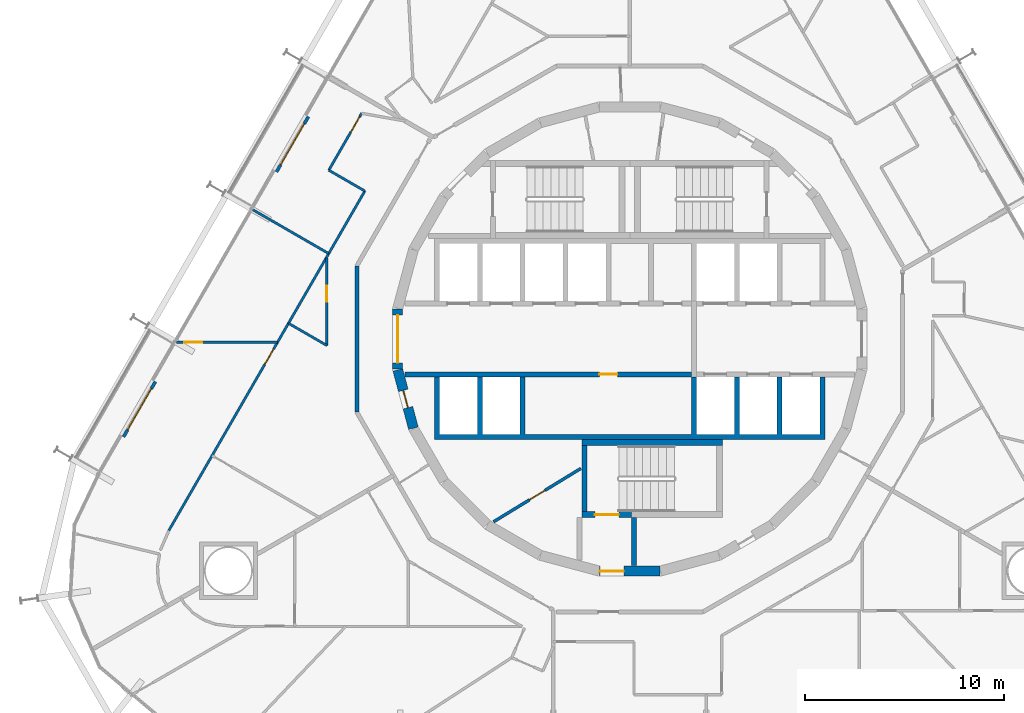
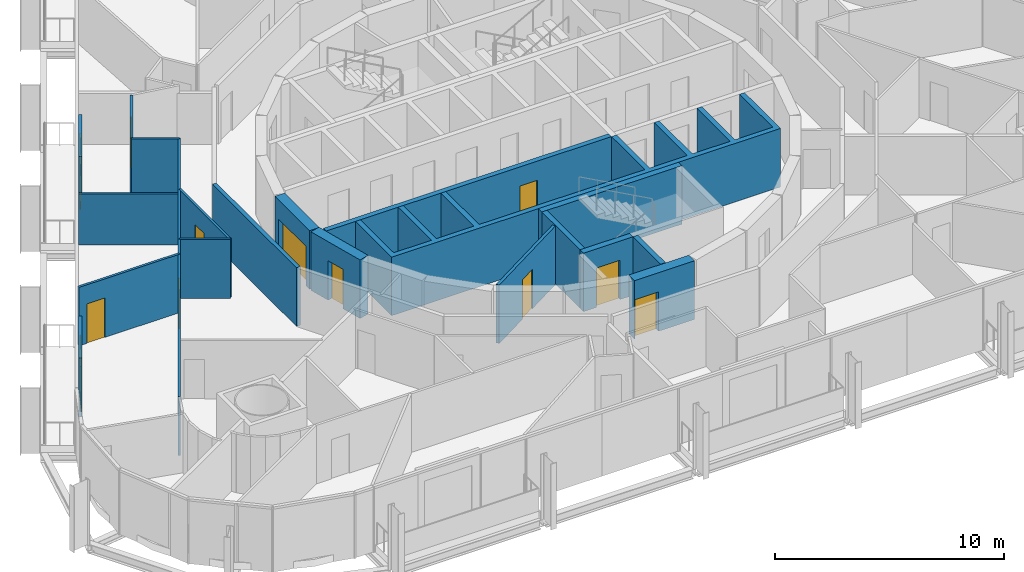
# One storey, part 14 of 21: 21 walls, 12 doors, 12 openings.
"""IFC4 building model written with IfcOpenShell, lengths in metres."""

from ifc_helpers import new_model, si_unit, direction, frame, frame_2d, origin, place, context, subcontext, project, spatial, polyline, rectangle, outline, extrude, material, layer, layer_set, type_object, element, fill, save


model = new_model("IFC4")

# Units and contexts
model_context = context("Model", 3, precision=1e-05, world=origin(), true_north=direction((0.0, 1.0)))
body_context = subcontext(model_context, "Body", "Model", "MODEL_VIEW")
ifc_project = project(units=[si_unit("LENGTHUNIT", "METRE"), si_unit("AREAUNIT", "SQUARE_METRE"), si_unit("VOLUMEUNIT", "CUBIC_METRE"), si_unit("PLANEANGLEUNIT", "RADIAN"), si_unit("MASSUNIT", "GRAM", prefix="KILO")], contexts=[model_context])

# Site, building, storey
site_placement = place(None, origin())
site = spatial("IfcSite", under=ifc_project, at=site_placement, CompositionType="ELEMENT")
building_placement = place(site_placement, origin())
building = spatial("IfcBuilding", under=site, at=building_placement, Name="Spindle Arch Residences", CompositionType="ELEMENT")
storey_placement = place(building_placement, frame((0.0, 0.0, 48.89990234375)))
storey = spatial("IfcBuildingStorey", under=building, at=storey_placement, Name="L10", CompositionType="ELEMENT", Elevation=48.89990234375)

# Wall, opening, door
ifc_material_1 = material(Name="Concrete C50/60", Category="concrete")
ifc_layer_1 = layer(ifc_material_1, 0.5)
ifc_layer_set_1 = layer_set([ifc_layer_1], Name="Core outline wall 500")
wall_type_1 = type_object("IfcWallType", Name="Core outline wall 500", PredefinedType="SHEAR", material=ifc_layer_set_1)
wall_1_placement = place(storey_placement, frame((-11.647216796875, 1.516357421875, 0.0), z_axis=(0.0, 0.0, 1.0), x_axis=(0.0, -1.0, 0.0)))
wall_1 = element("IfcWall", 1, at=wall_1_placement, inside=storey, type_object=wall_type_1, Name="Core outline wall 18", PredefinedType="SHEAR", context=body_context, shape_type="SweptSolid", body=[
    extrude(rectangle(XDim=3.03271484375, YDim=0.5, at=frame_2d((1.516357421875, 0.0))), origin(), (0.0, 0.0, 1.0), 3.1201171875),
])
opening_1_placement = place(wall_1_placement, frame((0.31640625, 0.0, 0.0)))
opening_1 = element("IfcOpeningElement", 2, at=opening_1_placement, cuts=wall_1, Name="Opening R1B1-LE01", PredefinedType="OPENING", context=body_context, shape_type="SweptSolid", body=[
    extrude(rectangle(XDim=2.39990234375, YDim=2.10009765625, at=frame_2d((1.199951171875, 1.050048828125))), frame((0.0, 0.260009765625, 0.0), z_axis=(0.0, -1.0, 0.0), x_axis=(1.0, 0.0, 0.0)), (0.0, 0.0, 1.0), 0.52001953125),
])
ifc_material_2 = material(Name="Steel, fire-resisting door", Category="steel")
door_type_1 = type_object("IfcDoorType", Name="Lift lobby entrance door 2400x2100", OperationType="DOUBLE_DOOR_SINGLE_SWING", PredefinedType="DOOR", material=ifc_material_2)
door_1_placement = place(opening_1_placement, origin())
door_1 = element("IfcDoor", 3, at=door_1_placement, inside=storey, type_object=door_type_1, Name="Lift lobby entrance door R1B1-LE01", OperationType="DOUBLE_DOOR_SINGLE_SWING", OverallHeight=2.10009765625, OverallWidth=2.39990234375, PredefinedType="DOOR", context=body_context, shape_type="SweptSolid", body=[
    extrude(rectangle(XDim=2.39990234375, YDim=2.10009765625, at=frame_2d((1.199951171875, 1.050048828125))), frame((0.0, 0.02490234375, 0.0), z_axis=(0.0, -1.0, 0.0), x_axis=(1.0, 0.0, 0.0)), (0.0, 0.0, 1.0), 0.050048828125),
])
fill(opening_1, door_1)

wall_2_placement = place(storey_placement, frame((-11.642822265625, -1.5498046875, 0.0), z_axis=(0.0, 0.0, 1.0), x_axis=(0.258734743916, -0.965948410781, 0.0)))
wall_2 = element("IfcWall", 4, at=wall_2_placement, inside=storey, type_object=wall_type_1, Name="Core outline wall 19", PredefinedType="SHEAR", context=body_context, shape_type="SweptSolid", body=[
    extrude(rectangle(XDim=3.03271484375, YDim=0.5, at=frame_2d((1.516357421875, 0.0))), origin(), (0.0, 0.0, 1.0), 3.1201171875),
])
opening_2_placement = place(wall_2_placement, frame((1.06640625, 0.0, 0.0)))
opening_2 = element("IfcOpeningElement", 5, at=opening_2_placement, cuts=wall_2, Name="Opening R1B1-WD09", PredefinedType="OPENING", context=body_context, shape_type="SweptSolid", body=[
    extrude(rectangle(XDim=0.89990234375, YDim=2.10009765625, at=frame_2d((0.449951171875, 1.050048828125))), frame((0.0, 0.260009765625, 0.0), z_axis=(0.0, -1.0, 0.0), x_axis=(1.0, 0.0, 0.0)), (0.0, 0.0, 1.0), 0.52001953125),
])
ifc_material_3 = material(Name="Steel, fire-resisting door", Category="steel")
door_type_2 = type_object("IfcDoorType", Name="Service room door 900x2100", OperationType="SINGLE_SWING_LEFT", PredefinedType="DOOR", material=ifc_material_3)
door_2_placement = place(opening_2_placement, origin())
door_2 = element("IfcDoor", 6, at=door_2_placement, inside=storey, type_object=door_type_2, Name="Service room door R1B1-WD09", OperationType="SINGLE_SWING_RIGHT", OverallHeight=2.10009765625, OverallWidth=0.89990234375, PredefinedType="DOOR", context=body_context, shape_type="SweptSolid", body=[
    extrude(rectangle(XDim=0.89990234375, YDim=2.10009765625, at=frame_2d((0.449951171875, 1.050048828125))), frame((0.0, 0.02490234375, 0.0), z_axis=(0.0, -1.0, 0.0), x_axis=(1.0, 0.0, 0.0)), (0.0, 0.0, 1.0), 0.050048828125),
])
fill(opening_2, door_2)

wall_3_placement = place(storey_placement, frame((-1.516357421875, -11.647216796875, 0.0), z_axis=(0.0, 0.0, 1.0), x_axis=(1.0, 0.0, 0.0)))
wall_3 = element("IfcWall", 7, at=wall_3_placement, inside=storey, type_object=wall_type_1, Name="Core outline wall 24", PredefinedType="SHEAR", context=body_context, shape_type="SweptSolid", body=[
    extrude(rectangle(XDim=3.03271484375, YDim=0.5, at=frame_2d((1.516357421875, 0.0))), origin(), (0.0, 0.0, 1.0), 3.1201171875),
])
opening_3_placement = place(wall_3_placement, frame((0.016357421875, 0.0, 0.0)))
opening_3 = element("IfcOpeningElement", 8, at=opening_3_placement, cuts=wall_3, Name="Opening R1B1-AD03", PredefinedType="OPENING", context=body_context, shape_type="SweptSolid", body=[
    extrude(rectangle(XDim=1.199951171875, YDim=2.10009765625, at=frame_2d((0.60009765625, 1.050048828125))), frame((0.0, 0.260009765625, 0.0), z_axis=(0.0, -1.0, 0.0), x_axis=(1.0, 0.0, 0.0)), (0.0, 0.0, 1.0), 0.52001953125),
])
ifc_material_4 = material(Name="Steel, fire-resisting door", Category="steel")
door_type_3 = type_object("IfcDoorType", Name="Stair airlock door 1200x2100", OperationType="SINGLE_SWING_LEFT", PredefinedType="DOOR", material=ifc_material_4)
door_3_placement = place(opening_3_placement, origin())
door_3 = element("IfcDoor", 9, at=door_3_placement, inside=storey, type_object=door_type_3, Name="Stair airlock door R1B1-AD03", OperationType="SINGLE_SWING_RIGHT", OverallHeight=2.10009765625, OverallWidth=1.199951171875, PredefinedType="DOOR", context=body_context, shape_type="SweptSolid", body=[
    extrude(rectangle(XDim=1.199951171875, YDim=2.10009765625, at=frame_2d((0.60009765625, 1.050048828125))), frame((0.0, 0.02490234375, 0.0), z_axis=(0.0, -1.0, 0.0), x_axis=(1.0, 0.0, 0.0)), (0.0, 0.0, 1.0), 0.050048828125),
])
fill(opening_3, door_3)

# Wall
ifc_material_5 = material(Name="Calcium silicate block, plastered")
ifc_layer_2 = layer(ifc_material_5, 0.199951171875)
ifc_layer_set_2 = layer_set([ifc_layer_2], Name="Corridor wall 200")
wall_type_2 = type_object("IfcWallType", Name="Corridor wall 200", PredefinedType="STANDARD", material=ifc_layer_set_2)
wall_4_placement = place(storey_placement, frame((-13.699951171875, 3.6708984375, 0.0), z_axis=(0.0, 0.0, 1.0), x_axis=(0.0, -1.0, 0.0)))
element("IfcWall", 10, at=wall_4_placement, inside=storey, type_object=wall_type_2, Name="Corridor wall R1B1-W011", PredefinedType="STANDARD", context=body_context, shape_type="SweptSolid", body=[
    extrude(rectangle(XDim=7.341796875, YDim=0.199951171875, at=frame_2d((3.6708984375, 0.0))), origin(), (0.0, 0.0, 1.0), 3.1201171875),
])

# Wall, opening, door
ifc_material_6 = material(Name="Plasterboard on steel studs", Category="steel")
ifc_layer_3 = layer(ifc_material_6, 0.1201171875)
ifc_layer_set_3 = layer_set([ifc_layer_3], Name="Flat partition 120")
wall_type_3 = type_object("IfcWallType", Name="Flat partition 120", PredefinedType="PARTITIONING", material=ifc_layer_set_3)
wall_5_placement = place(storey_placement, frame((-13.45654296875, 11.33154296875, 0.0), z_axis=(0.0, 0.0, 1.0), x_axis=(-0.499974350878, -0.866040211805, 0.0)))
wall_5 = element("IfcWall", 11, at=wall_5_placement, inside=storey, type_object=wall_type_3, Name="Flat partition R1B1-W063", PredefinedType="PARTITIONING", context=body_context, shape_type="SweptSolid", body=[
    extrude(rectangle(XDim=3.300048828125, YDim=0.1201171875, at=frame_2d((1.64990234375, 0.0))), origin(), (0.0, 0.0, 1.0), 3.1201171875),
])
opening_4_placement = place(wall_5_placement, frame((0.199951171875, 0.0, 0.0)))
opening_4 = element("IfcOpeningElement", 12, at=opening_4_placement, cuts=wall_5, Name="Opening R1B1-ID13", PredefinedType="OPENING", context=body_context, shape_type="SweptSolid", body=[
    extrude(rectangle(XDim=0.89990234375, YDim=2.10009765625, at=frame_2d((0.449951171875, 1.050048828125))), frame((0.0, 0.070068359375, 0.0), z_axis=(0.0, -1.0, 0.0), x_axis=(1.0, 0.0, 0.0)), (0.0, 0.0, 1.0), 0.14013671875),
])
ifc_material_7 = material(Name="Timber door set", Category="wood")
door_type_4 = type_object("IfcDoorType", Name="Room door 900x2100", OperationType="NOTDEFINED", PredefinedType="DOOR", material=ifc_material_7)
door_4_placement = place(opening_4_placement, origin())
door_4 = element("IfcDoor", 13, at=door_4_placement, inside=storey, type_object=door_type_4, Name="Room door R1B1-ID13", OperationType="SINGLE_SWING_LEFT", OverallHeight=2.10009765625, OverallWidth=0.89990234375, PredefinedType="DOOR", context=body_context, shape_type="SweptSolid", body=[
    extrude(rectangle(XDim=0.89990234375, YDim=2.10009765625, at=frame_2d((0.449951171875, 1.050048828125))), frame((0.0, 0.02490234375, 0.0), z_axis=(0.0, -1.0, 0.0), x_axis=(1.0, 0.0, 0.0)), (0.0, 0.0, 1.0), 0.050048828125),
])
fill(opening_4, door_4)

# Walls
wall_6_placement = place(storey_placement, frame((-15.1064453125, 8.4736328125, 0.0), z_axis=(0.0, 0.0, 1.0), x_axis=(0.866041603473, -0.499971940267, 0.0)))
element("IfcWall", 14, at=wall_6_placement, inside=storey, type_object=wall_type_3, Name="Flat partition R1B1-W064", PredefinedType="PARTITIONING", context=body_context, shape_type="SweptSolid", body=[
    extrude(rectangle(XDim=2.08935546875, YDim=0.1201171875, at=frame_2d((1.044677734375, 0.0))), origin(), (0.0, 0.0, 1.0), 3.1201171875),
])
wall_7_placement = place(storey_placement, frame((-13.296875, 7.428955078125, 0.0), z_axis=(0.0, 0.0, 1.0), x_axis=(-0.49999903102, -0.866025963225, 0.0)))
element("IfcWall", 15, at=wall_7_placement, inside=storey, type_object=wall_type_3, Name="Flat partition R1B1-W065", PredefinedType="PARTITIONING", context=body_context, shape_type="SweptSolid", body=[
    extrude(rectangle(XDim=7.66650390625, YDim=0.1201171875, at=frame_2d((3.833251953125, 0.0))), origin(), (0.0, 0.0, 1.0), 3.1201171875),
])

# Wall, opening, door
wall_8_placement = place(storey_placement, frame((-17.130126953125, 0.78955078125, 0.0), z_axis=(0.0, 0.0, 1.0), x_axis=(-0.499997052475, -0.866027105532, 0.0)))
wall_8 = element("IfcWall", 16, at=wall_8_placement, inside=storey, type_object=wall_type_3, Name="Flat partition R1B1-W066", PredefinedType="PARTITIONING", context=body_context, shape_type="SweptSolid", body=[
    extrude(rectangle(XDim=12.005859375, YDim=0.1201171875, at=frame_2d((6.0029296875, 0.0))), origin(), (0.0, 0.0, 1.0), 3.1201171875),
])
opening_5_placement = place(wall_8_placement, frame((1.498291015625, 0.0, 0.0)))
opening_5 = element("IfcOpeningElement", 17, at=opening_5_placement, cuts=wall_8, Name="Opening R1B1-ID14", PredefinedType="OPENING", context=body_context, shape_type="SweptSolid", body=[
    extrude(rectangle(XDim=0.89990234375, YDim=2.10009765625, at=frame_2d((0.449951171875, 1.050048828125))), frame((0.0, 0.070068359375, 0.0), z_axis=(0.0, -1.0, 0.0), x_axis=(1.0, 0.0, 0.0)), (0.0, 0.0, 1.0), 0.14013671875),
])
door_5_placement = place(opening_5_placement, origin())
door_5 = element("IfcDoor", 18, at=door_5_placement, inside=storey, type_object=door_type_4, Name="Room door R1B1-ID14", OperationType="SINGLE_SWING_RIGHT", OverallHeight=2.10009765625, OverallWidth=0.89990234375, PredefinedType="DOOR", context=body_context, shape_type="SweptSolid", body=[
    extrude(rectangle(XDim=0.89990234375, YDim=2.10009765625, at=frame_2d((0.449951171875, 1.050048828125))), frame((0.0, 0.02490234375, 0.0), z_axis=(0.0, -1.0, 0.0), x_axis=(1.0, 0.0, 0.0)), (0.0, 0.0, 1.0), 0.050048828125),
])
fill(opening_5, door_5)

wall_9_placement = place(storey_placement, frame((-15.199951171875, 4.07275390625, 0.0), z_axis=(0.0, 0.0, 1.0), x_axis=(0.0, -1.0, 0.0)))
wall_9 = element("IfcWall", 19, at=wall_9_placement, inside=storey, type_object=wall_type_3, Name="Flat partition R1B1-W067", PredefinedType="PARTITIONING", context=body_context, shape_type="SweptSolid", body=[
    extrude(rectangle(XDim=4.397705078125, YDim=0.1201171875, at=frame_2d((2.19873046875, 0.0))), origin(), (0.0, 0.0, 1.0), 3.1201171875),
])
opening_6_placement = place(wall_9_placement, frame((1.39990234375, 0.0, 0.0)))
opening_6 = element("IfcOpeningElement", 20, at=opening_6_placement, cuts=wall_9, Name="Opening R1B1-BD03", PredefinedType="OPENING", context=body_context, shape_type="SweptSolid", body=[
    extrude(rectangle(XDim=0.800048828125, YDim=2.10009765625, at=frame_2d((0.39990234375, 1.050048828125))), frame((0.0, 0.070068359375, 0.0), z_axis=(0.0, -1.0, 0.0), x_axis=(1.0, 0.0, 0.0)), (0.0, 0.0, 1.0), 0.14013671875),
])
ifc_material_8 = material(Name="Timber door set", Category="wood")
door_type_5 = type_object("IfcDoorType", Name="Bathroom door 800x2100", OperationType="NOTDEFINED", PredefinedType="DOOR", material=ifc_material_8)
door_6_placement = place(opening_6_placement, origin())
door_6 = element("IfcDoor", 21, at=door_6_placement, inside=storey, type_object=door_type_5, Name="Bathroom door R1B1-BD03", OperationType="SINGLE_SWING_RIGHT", OverallHeight=2.10009765625, OverallWidth=0.800048828125, PredefinedType="DOOR", context=body_context, shape_type="SweptSolid", body=[
    extrude(rectangle(XDim=0.800048828125, YDim=2.10009765625, at=frame_2d((0.39990234375, 1.050048828125))), frame((0.0, 0.02490234375, 0.0), z_axis=(0.0, -1.0, 0.0), x_axis=(1.0, 0.0, 0.0)), (0.0, 0.0, 1.0), 0.050048828125),
])
fill(opening_6, door_6)

# Wall
wall_10_placement = place(storey_placement, frame((-15.199951171875, -0.324951171875, 0.0), z_axis=(0.0, 0.0, 1.0), x_axis=(-0.866003168561, 0.500038510559, 0.0)))
element("IfcWall", 22, at=wall_10_placement, inside=storey, type_object=wall_type_3, Name="Flat partition R1B1-W068", PredefinedType="PARTITIONING", context=body_context, shape_type="SweptSolid", body=[
    extrude(rectangle(XDim=2.228759765625, YDim=0.1201171875, at=frame_2d((1.1142578125, 0.0))), origin(), (0.0, 0.0, 1.0), 3.1201171875),
])

# Wall, opening, door
wall_11_placement = place(storey_placement, frame((-22.760009765625, -0.161865234375, 0.0), z_axis=(0.0, 0.0, 1.0), x_axis=(1.0, 0.0, 0.0)))
wall_11 = element("IfcWall", 23, at=wall_11_placement, inside=storey, type_object=wall_type_3, Name="Flat partition R1B1-W071", PredefinedType="PARTITIONING", context=body_context, shape_type="SweptSolid", body=[
    extrude(rectangle(XDim=5.08056640625, YDim=0.1201171875, at=frame_2d((2.540283203125, 0.0))), origin(), (0.0, 0.0, 1.0), 3.1201171875),
])
opening_7_placement = place(wall_11_placement, frame((0.39990234375, 0.0, 0.0)))
opening_7 = element("IfcOpeningElement", 24, at=opening_7_placement, cuts=wall_11, Name="Opening R1B1-ID16", PredefinedType="OPENING", context=body_context, shape_type="SweptSolid", body=[
    extrude(rectangle(XDim=0.89990234375, YDim=2.10009765625, at=frame_2d((0.449951171875, 1.050048828125))), frame((0.0, 0.070068359375, 0.0), z_axis=(0.0, -1.0, 0.0), x_axis=(1.0, 0.0, 0.0)), (0.0, 0.0, 1.0), 0.14013671875),
])
door_7_placement = place(opening_7_placement, origin())
door_7 = element("IfcDoor", 25, at=door_7_placement, inside=storey, type_object=door_type_4, Name="Room door R1B1-ID16", OperationType="SINGLE_SWING_LEFT", OverallHeight=2.10009765625, OverallWidth=0.89990234375, PredefinedType="DOOR", context=body_context, shape_type="SweptSolid", body=[
    extrude(rectangle(XDim=0.89990234375, YDim=2.10009765625, at=frame_2d((0.449951171875, 1.050048828125))), frame((0.0, 0.02490234375, 0.0), z_axis=(0.0, -1.0, 0.0), x_axis=(1.0, 0.0, 0.0)), (0.0, 0.0, 1.0), 0.050048828125),
])
fill(opening_7, door_7)

# Wall
ifc_material_9 = material(Name="Plasterboard on steel studs", Category="steel")
ifc_layer_4 = layer(ifc_material_9, 0.1201171875)
ifc_layer_set_4 = layer_set([ifc_layer_4], Name="Flat partition 120 under beam 2730")
wall_type_4 = type_object("IfcWallType", Name="Flat partition 120 under beam 2730", PredefinedType="PARTITIONING", material=ifc_layer_set_4)
wall_12_placement = place(storey_placement, frame((-18.919921875, 6.489501953125, 0.0), z_axis=(0.0, 0.0, 1.0), x_axis=(0.865994303029, -0.500053864221, 0.0)))
element("IfcWall", 26, at=wall_12_placement, inside=storey, type_object=wall_type_4, Name="Flat partition R1B1-W070", PredefinedType="PARTITIONING", context=body_context, shape_type="SweptSolid", body=[
    extrude(rectangle(XDim=4.39990234375, YDim=0.1201171875, at=frame_2d((2.199951171875, 0.0))), origin(), (0.0, 0.0, 1.0), 2.72998046875),
])

# Wall, opening, door
ifc_material_10 = material(Name="Non-combustible mineral wool insulated aluminium faced external wall (K0)", Category="aluminium")
ifc_layer_5 = layer(ifc_material_10, 0.159912109375)
ifc_layer_set_5 = layer_set([ifc_layer_5], Name="Insulated external wall panel 160")
wall_type_5 = type_object("IfcWallType", Name="Insulated external wall panel 160", PredefinedType="STANDARD", material=ifc_layer_set_5)
wall_13_placement = place(storey_placement, frame((-16.130615234375, 11.16064453125, 0.0), z_axis=(0.0, 0.0, 1.0), x_axis=(-0.500028443584, -0.866008981251, 0.0)))
wall_13 = element("IfcWall", 27, at=wall_13_placement, inside=storey, type_object=wall_type_5, Name="External wall L10 bay 16", PredefinedType="STANDARD", context=body_context, shape_type="SweptSolid", body=[
    extrude(rectangle(XDim=3.199951171875, YDim=0.159912109375, at=frame_2d((1.60009765625, 0.0))), origin(), (0.0, 0.0, 1.0), 3.1201171875),
])
opening_8_placement = place(wall_13_placement, frame((0.39990234375, 0.0, 0.0)))
opening_8 = element("IfcOpeningElement", 28, at=opening_8_placement, cuts=wall_13, Name="Opening BD16", PredefinedType="OPENING", context=body_context, shape_type="SweptSolid", body=[
    extrude(rectangle(XDim=2.39990234375, YDim=2.39990234375, at=frame_2d((1.199951171875, 1.199951171875))), frame((0.0, 0.08984375, 0.0), z_axis=(0.0, -1.0, 0.0), x_axis=(1.0, 0.0, 0.0)), (0.0, 0.0, 1.0), 0.179931640625),
])
ifc_material_11 = material(Name="Bronze aluminium frame, tinted double glazing", Category="aluminium")
door_type_6 = type_object("IfcDoorType", Name="Sliding glazed balcony door 2400x2400", OperationType="DOUBLE_DOOR_SLIDING", PredefinedType="DOOR", material=ifc_material_11)
door_8_placement = place(opening_8_placement, origin())
door_8 = element("IfcDoor", 29, at=door_8_placement, inside=storey, type_object=door_type_6, Name="Balcony door BD16", OperationType="DOUBLE_DOOR_SLIDING", OverallHeight=2.39990234375, OverallWidth=2.39990234375, PredefinedType="DOOR", context=body_context, shape_type="SweptSolid", body=[
    extrude(rectangle(XDim=2.39990234375, YDim=2.39990234375, at=frame_2d((1.199951171875, 1.199951171875))), frame((0.0, 0.02490234375, 0.0), z_axis=(0.0, -1.0, 0.0), x_axis=(1.0, 0.0, 0.0)), (0.0, 0.0, 1.0), 0.050048828125),
])
fill(opening_8, door_8)

wall_14_placement = place(storey_placement, frame((-23.810791015625, -2.1416015625, 0.0), z_axis=(0.0, 0.0, 1.0), x_axis=(-0.500028443584, -0.866008981251, 0.0)))
wall_14 = element("IfcWall", 30, at=wall_14_placement, inside=storey, type_object=wall_type_5, Name="External wall L10 bay 18", PredefinedType="STANDARD", context=body_context, shape_type="SweptSolid", body=[
    extrude(rectangle(XDim=3.199951171875, YDim=0.159912109375, at=frame_2d((1.60009765625, 0.0))), origin(), (0.0, 0.0, 1.0), 3.1201171875),
])
opening_9_placement = place(wall_14_placement, frame((0.39990234375, 0.0, 0.0)))
opening_9 = element("IfcOpeningElement", 31, at=opening_9_placement, cuts=wall_14, Name="Opening BD18", PredefinedType="OPENING", context=body_context, shape_type="SweptSolid", body=[
    extrude(rectangle(XDim=2.39990234375, YDim=2.39990234375, at=frame_2d((1.199951171875, 1.199951171875))), frame((0.0, 0.08984375, 0.0), z_axis=(0.0, -1.0, 0.0), x_axis=(1.0, 0.0, 0.0)), (0.0, 0.0, 1.0), 0.179931640625),
])
door_9_placement = place(opening_9_placement, origin())
door_9 = element("IfcDoor", 32, at=door_9_placement, inside=storey, type_object=door_type_6, Name="Balcony door BD18", OperationType="DOUBLE_DOOR_SLIDING", OverallHeight=2.39990234375, OverallWidth=2.39990234375, PredefinedType="DOOR", context=body_context, shape_type="SweptSolid", body=[
    extrude(rectangle(XDim=2.39990234375, YDim=2.39990234375, at=frame_2d((1.199951171875, 1.199951171875))), frame((0.0, 0.02490234375, 0.0), z_axis=(0.0, -1.0, 0.0), x_axis=(1.0, 0.0, 0.0)), (0.0, 0.0, 1.0), 0.050048828125),
])
fill(opening_9, door_9)

ifc_material_12 = material(Name="Concrete C50/60", Category="concrete")
ifc_layer_6 = layer(ifc_material_12, 0.25)
ifc_layer_set_6 = layer_set([ifc_layer_6], Name="Lift shaft wall 250")
wall_type_6 = type_object("IfcWallType", Name="Lift shaft wall 250", PredefinedType="SHEAR", material=ifc_layer_set_6)
wall_15_placement = place(storey_placement, frame((-11.280029296875, -1.77490234375, 0.0), z_axis=(0.0, 0.0, 1.0), x_axis=(1.0, 0.0, 0.0)))
wall_15 = element("IfcWall", 33, at=wall_15_placement, inside=storey, type_object=wall_type_6, Name="Lift shaft front wall SW", PredefinedType="SHEAR", context=body_context, shape_type="SweptSolid", body=[
    extrude(rectangle(XDim=14.380126953125, YDim=0.25, at=frame_2d((7.18994140625, 0.0))), origin(), (0.0, 0.0, 1.0), 3.1201171875),
])
opening_10_placement = place(wall_15_placement, frame((9.7548828125, 0.0, 0.0)))
opening_10 = element("IfcOpeningElement", 34, at=opening_10_placement, cuts=wall_15, Name="Opening R1B1-WD04", PredefinedType="OPENING", context=body_context, shape_type="SweptSolid", body=[
    extrude(rectangle(XDim=0.89990234375, YDim=2.10009765625, at=frame_2d((0.449951171875, 1.050048828125))), frame((0.0, 0.135009765625, 0.0), z_axis=(0.0, -1.0, 0.0), x_axis=(1.0, 0.0, 0.0)), (0.0, 0.0, 1.0), 0.27001953125),
])
door_10_placement = place(opening_10_placement, origin())
door_10 = element("IfcDoor", 35, at=door_10_placement, inside=storey, type_object=door_type_2, Name="Service room door R1B1-WD04", OperationType="SINGLE_SWING_LEFT", OverallHeight=2.10009765625, OverallWidth=0.89990234375, PredefinedType="DOOR", context=body_context, shape_type="SweptSolid", body=[
    extrude(rectangle(XDim=0.89990234375, YDim=2.10009765625, at=frame_2d((0.449951171875, 1.050048828125))), frame((0.0, 0.02490234375, 0.0), z_axis=(0.0, -1.0, 0.0), x_axis=(1.0, 0.0, 0.0)), (0.0, 0.0, 1.0), 0.050048828125),
])
fill(opening_10, door_10)

# Wall
ifc_material_13 = material(Name="Concrete C50/60", Category="concrete")
wall_type_7 = type_object("IfcWallType", Name="Lift shaft wall profile", PredefinedType="SHEAR", material=ifc_material_13)
wall_16_placement = place(storey_placement, origin())
element("IfcWall", 36, at=wall_16_placement, inside=storey, type_object=wall_type_7, Name="Lift shaft walls S", PredefinedType="SHEAR", context=body_context, shape_type="SweptSolid", body=[
    extrude(outline(polyline([(9.800048828125, -5.050048828125), (9.800048828125, -4.800048828125), (9.800048828125, -1.89990234375), (9.550048828125, -1.89990234375), (9.550048828125, -4.800048828125), (7.64990234375, -4.800048828125), (7.64990234375, -1.89990234375), (7.39990234375, -1.89990234375), (7.39990234375, -4.800048828125), (5.5, -4.800048828125), (5.5, -1.89990234375), (5.25, -1.89990234375), (5.25, -4.800048828125), (3.35009765625, -4.800048828125), (3.35009765625, -1.89990234375), (3.10009765625, -1.89990234375), (3.10009765625, -4.800048828125), (-5.25, -4.800048828125), (-5.25, -1.89990234375), (-5.5, -1.89990234375), (-5.5, -4.800048828125), (-7.39990234375, -4.800048828125), (-7.39990234375, -1.89990234375), (-7.64990234375, -1.89990234375), (-7.64990234375, -4.800048828125), (-9.550048828125, -4.800048828125), (-9.550048828125, -1.89990234375), (-9.800048828125, -1.89990234375), (-9.800048828125, -4.800048828125), (-9.800048828125, -5.050048828125), (9.800048828125, -5.050048828125)])), origin(), (0.0, 0.0, 1.0), 3.1201171875),
])

# Wall, opening, door
ifc_material_14 = material(Name="Concrete C25/30", Category="concrete")
ifc_layer_7 = layer(ifc_material_14, 0.14990234375)
ifc_layer_set_7 = layer_set([ifc_layer_7], Name="Service room partition 150")
wall_type_8 = type_object("IfcWallType", Name="Service room partition 150", PredefinedType="PARTITIONING", material=ifc_layer_set_7)
wall_17_placement = place(storey_placement, frame((-2.451171875, -6.49462890625, 0.0), z_axis=(0.0, 0.0, 1.0), x_axis=(-0.853250115418, -0.521501908471, 0.0)))
wall_17 = element("IfcWall", 37, at=wall_17_placement, inside=storey, type_object=wall_type_8, Name="Core service room partition", PredefinedType="PARTITIONING", context=body_context, shape_type="SweptSolid", body=[
    extrude(rectangle(XDim=5.137451171875, YDim=0.14990234375, at=frame_2d((2.56884765625, 0.0))), origin(), (0.0, 0.0, 1.0), 3.1201171875),
])
opening_11_placement = place(wall_17_placement, frame((2.11865234375, 0.0, 0.0)))
opening_11 = element("IfcOpeningElement", 38, at=opening_11_placement, cuts=wall_17, Name="Opening R1B1-WD05", PredefinedType="OPENING", context=body_context, shape_type="SweptSolid", body=[
    extrude(rectangle(XDim=0.89990234375, YDim=2.10009765625, at=frame_2d((0.449951171875, 1.050048828125))), frame((0.0, 0.0849609375, 0.0), z_axis=(0.0, -1.0, 0.0), x_axis=(1.0, 0.0, 0.0)), (0.0, 0.0, 1.0), 0.169921875),
])
door_11_placement = place(opening_11_placement, origin())
door_11 = element("IfcDoor", 39, at=door_11_placement, inside=storey, type_object=door_type_2, Name="Service room door R1B1-WD05", OperationType="SINGLE_SWING_RIGHT", OverallHeight=2.10009765625, OverallWidth=0.89990234375, PredefinedType="DOOR", context=body_context, shape_type="SweptSolid", body=[
    extrude(rectangle(XDim=0.89990234375, YDim=2.10009765625, at=frame_2d((0.449951171875, 1.050048828125))), frame((0.0, 0.02490234375, 0.0), z_axis=(0.0, -1.0, 0.0), x_axis=(1.0, 0.0, 0.0)), (0.0, 0.0, 1.0), 0.050048828125),
])
fill(opening_11, door_11)

# Walls
ifc_material_15 = material(Name="Concrete C40/50", Category="concrete")
ifc_layer_8 = layer(ifc_material_15, 0.25)
ifc_layer_set_8 = layer_set([ifc_layer_8], Name="Stair airlock wall 250")
wall_type_9 = type_object("IfcWallType", Name="Stair airlock wall 250", PredefinedType="SHEAR", material=ifc_layer_set_8)
wall_18_placement = place(storey_placement, frame((0.22509765625, -8.969970703125, 0.0), z_axis=(0.0, 0.0, 1.0), x_axis=(0.0, -1.0, 0.0)))
element("IfcWall", 40, at=wall_18_placement, inside=storey, type_object=wall_type_9, Name="Stair ST-3 airlock wall E", PredefinedType="SHEAR", context=body_context, shape_type="SweptSolid", body=[
    extrude(rectangle(XDim=2.409912109375, YDim=0.25, at=frame_2d((1.205078125, 0.0))), origin(), (0.0, 0.0, 1.0), 3.1201171875),
])
ifc_material_16 = material(Name="Concrete C50/60", Category="concrete")
ifc_layer_9 = layer(ifc_material_16, 0.25)
ifc_layer_set_9 = layer_set([ifc_layer_9], Name="Stair enclosure wall 250")
wall_type_10 = type_object("IfcWallType", Name="Stair enclosure wall 250", PredefinedType="SHEAR", material=ifc_layer_set_9)
wall_19_placement = place(storey_placement, frame((-2.27490234375, -8.669921875, 0.0), z_axis=(0.0, 0.0, 1.0), x_axis=(0.0, 1.0, 0.0)))
element("IfcWall", 41, at=wall_19_placement, inside=storey, type_object=wall_type_10, Name="Stair ST-3 enclosure wall W", PredefinedType="SHEAR", context=body_context, shape_type="SweptSolid", body=[
    extrude(rectangle(XDim=3.31982421875, YDim=0.25, at=frame_2d((1.659912109375, 0.0))), origin(), (0.0, 0.0, 1.0), 3.1201171875),
])
ifc_material_17 = material(Name="Concrete C50/60", Category="concrete")
ifc_layer_10 = layer(ifc_material_17, 0.300048828125)
ifc_layer_set_10 = layer_set([ifc_layer_10], Name="Stair enclosure wall 300")
wall_type_11 = type_object("IfcWallType", Name="Stair enclosure wall 300", PredefinedType="SHEAR", material=ifc_layer_set_10)
wall_20_placement = place(storey_placement, frame((-2.39990234375, -5.199951171875, 0.0), z_axis=(0.0, 0.0, 1.0), x_axis=(1.0, 0.0, 0.0)))
element("IfcWall", 42, at=wall_20_placement, inside=storey, type_object=wall_type_11, Name="Stair ST-3 enclosure wall N", PredefinedType="SHEAR", context=body_context, shape_type="SweptSolid", body=[
    extrude(rectangle(XDim=7.0498046875, YDim=0.300048828125, at=frame_2d((3.52490234375, 0.0))), origin(), (0.0, 0.0, 1.0), 3.1201171875),
])

# Wall, opening, door
wall_21_placement = place(storey_placement, frame((-2.39990234375, -8.820068359375, 0.0), z_axis=(0.0, 0.0, 1.0), x_axis=(1.0, 0.0, 0.0)))
wall_21 = element("IfcWall", 43, at=wall_21_placement, inside=storey, type_object=wall_type_11, Name="Stair ST-3 door wall", PredefinedType="SHEAR", context=body_context, shape_type="SweptSolid", body=[
    extrude(rectangle(XDim=2.5, YDim=0.300048828125, at=frame_2d((1.25, 0.0))), origin(), (0.0, 0.0, 1.0), 3.1201171875),
])
opening_12_placement = place(wall_21_placement, frame((0.64990234375, 0.0, 0.0)))
opening_12 = element("IfcOpeningElement", 44, at=opening_12_placement, cuts=wall_21, Name="Opening R1B1-SD03", PredefinedType="OPENING", context=body_context, shape_type="SweptSolid", body=[
    extrude(rectangle(XDim=1.199951171875, YDim=2.10009765625, at=frame_2d((0.60009765625, 1.050048828125))), frame((0.0, 0.16015625, 0.0), z_axis=(0.0, -1.0, 0.0), x_axis=(1.0, 0.0, 0.0)), (0.0, 0.0, 1.0), 0.320068359375),
])
ifc_material_18 = material(Name="Steel, fire-resisting door", Category="steel")
door_type_7 = type_object("IfcDoorType", Name="Stair door 1200x2100", OperationType="SINGLE_SWING_RIGHT", PredefinedType="DOOR", material=ifc_material_18)
door_12_placement = place(opening_12_placement, origin())
door_12 = element("IfcDoor", 45, at=door_12_placement, inside=storey, type_object=door_type_7, Name="Stair door R1B1-SD03", OperationType="SINGLE_SWING_LEFT", OverallHeight=2.10009765625, OverallWidth=1.199951171875, PredefinedType="DOOR", context=body_context, shape_type="SweptSolid", body=[
    extrude(rectangle(XDim=1.199951171875, YDim=2.10009765625, at=frame_2d((0.60009765625, 1.050048828125))), frame((0.0, 0.02490234375, 0.0), z_axis=(0.0, -1.0, 0.0), x_axis=(1.0, 0.0, 0.0)), (0.0, 0.0, 1.0), 0.050048828125),
])
fill(opening_12, door_12)

save(model, "model.ifc")
